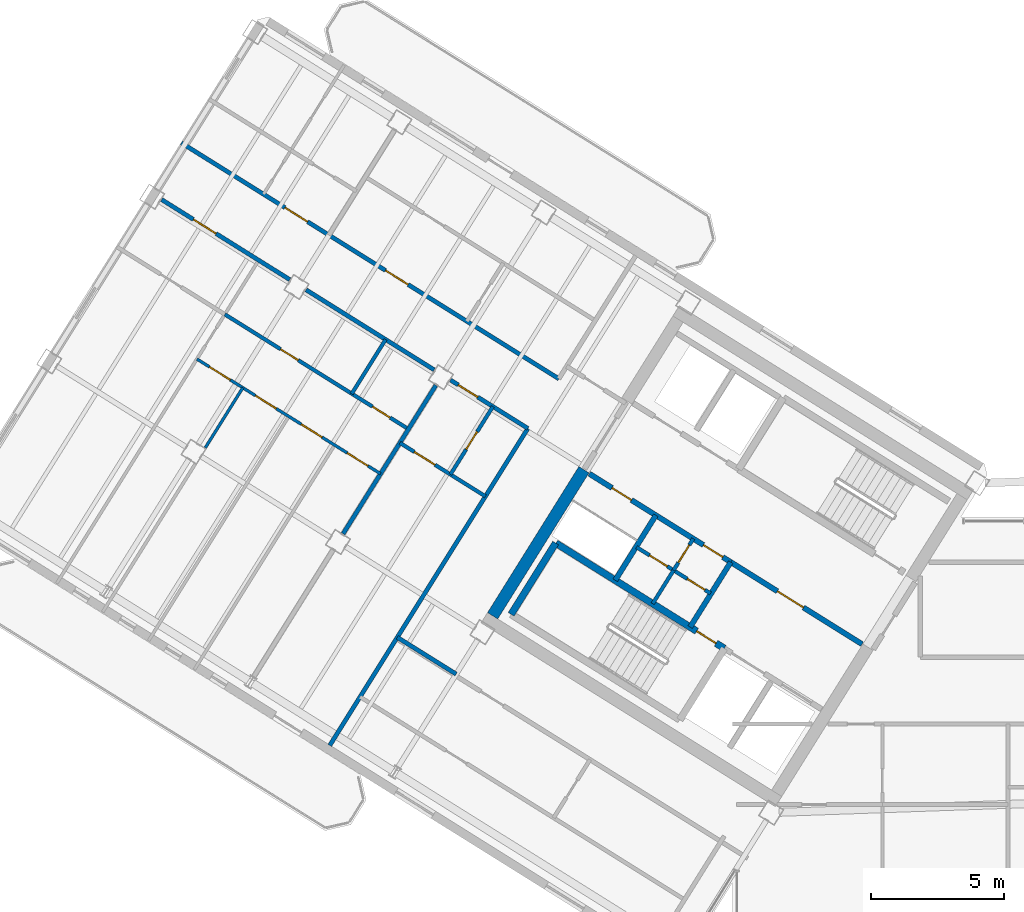
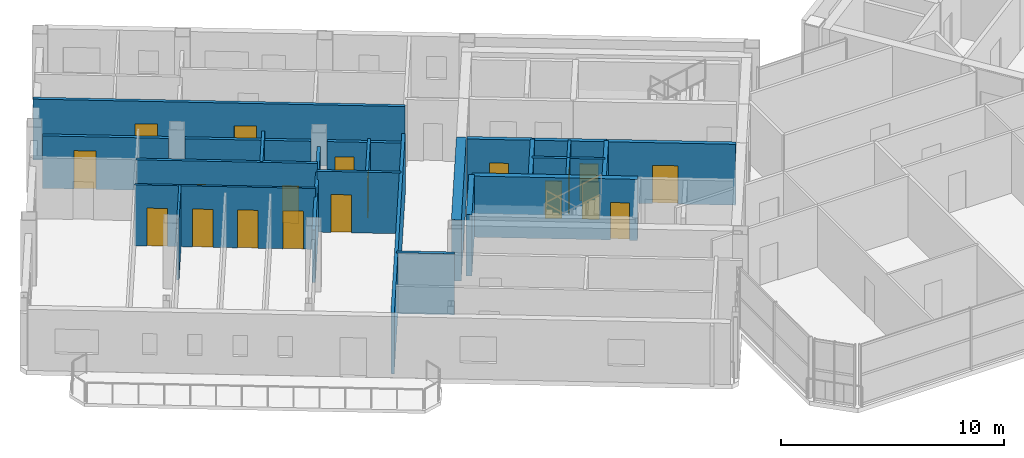
# One storey, part 17 of 25: 23 walls, 19 doors, 19 openings.
"""IFC4 building model written with IfcOpenShell, lengths in metres."""

from ifc_helpers import new_model, si_unit, direction, frame, frame_2d, origin, place, context, subcontext, project, spatial, rectangle, extrude, source, transform, mapped, material, layer, layer_set, type_object, element, fill, save


model = new_model("IFC4")

# Units and contexts
model_context = context("Model", 3, precision=1e-05, world=origin(), true_north=direction((0.0, 1.0)))
body_context = subcontext(model_context, "Body", "Model", "MODEL_VIEW")
ifc_project = project(units=[si_unit("LENGTHUNIT", "METRE"), si_unit("AREAUNIT", "SQUARE_METRE"), si_unit("VOLUMEUNIT", "CUBIC_METRE"), si_unit("PLANEANGLEUNIT", "RADIAN"), si_unit("MASSUNIT", "GRAM", prefix="KILO")], contexts=[model_context])

# Site, building, storey
site_placement = place(None, origin())
site = spatial("IfcSite", under=ifc_project, at=site_placement, CompositionType="ELEMENT")
building_placement = place(site_placement, origin())
building = spatial("IfcBuilding", under=site, at=building_placement, Name="Tlacorven Tower", CompositionType="ELEMENT")
storey_placement = place(building_placement, frame((0.0, 0.0, 259.199951171875)))
storey = spatial("IfcBuildingStorey", under=building, at=storey_placement, Name="L65", CompositionType="ELEMENT", Elevation=259.199951171875)

# Walls
ifc_material_1 = material(Name="Concrete C50/60", Category="concrete")
ifc_layer_1 = layer(ifc_material_1, 0.449951171875)
ifc_layer_set_1 = layer_set([ifc_layer_1], Name="Concrete C50/60")
wall_type_1 = type_object("IfcWallType", Name="WL-COR-450", PredefinedType="SHEAR", material=ifc_layer_set_1)
wall_1_placement = place(storey_placement, frame((26.006591796875, 24.975830078125, 0.0), z_axis=(0.0, 0.0, 1.0), x_axis=(-0.529931155655, -0.848040665456, 0.0)))
element("IfcWall", 1, at=wall_1_placement, inside=storey, type_object=wall_type_1, Name="L65 W core end wall E2.2", PredefinedType="SHEAR", context=body_context, shape_type="SweptSolid", body=[
    extrude(rectangle(XDim=6.47509765625, YDim=0.449951171875, at=frame_2d((3.237548828125, 0.0))), origin(), (0.0, 0.0, 1.0), 3.35009765625),
])
ifc_material_2 = material(Name="Gypsum plasterboard acoustic partition", Category="gypsum")
ifc_layer_2 = layer(ifc_material_2, 0.159912109375)
ifc_layer_set_2 = layer_set([ifc_layer_2], Name="Gypsum plasterboard acoustic partition")
wall_type_2 = type_object("IfcWallType", Name="WL-DEM-160", PredefinedType="PARTITIONING", material=ifc_layer_set_2)
wall_2_placement = place(storey_placement, frame((21.20556640625, 17.29248046875, 0.0), z_axis=(0.0, 0.0, 1.0), x_axis=(-0.848050851465, 0.529914854792, 0.0)))
element("IfcWall", 2, at=wall_2_placement, inside=storey, type_object=wall_type_2, Name="L65 partition 39", PredefinedType="PARTITIONING", context=body_context, shape_type="SweptSolid", body=[
    extrude(rectangle(XDim=2.60986328125, YDim=0.159912109375, at=frame_2d((1.304931640625, 0.0))), origin(), (0.0, 0.0, 1.0), 3.340087890625),
])
wall_3_placement = place(storey_placement, frame((23.899169921875, 26.528564453125, 0.0), z_axis=(0.0, 0.0, 1.0), x_axis=(-0.529917716469, -0.848049063305, 0.0)))
element("IfcWall", 3, at=wall_3_placement, inside=storey, type_object=wall_type_2, Name="L65 partition 41", PredefinedType="PARTITIONING", context=body_context, shape_type="SweptSolid", body=[
    extrude(rectangle(XDim=14.050048828125, YDim=0.159912109375, at=frame_2d((7.02490234375, 0.0))), origin(), (0.0, 0.0, 1.0), 3.340087890625),
])

# Wall, openings, doors
wall_4_placement = place(storey_placement, frame((25.06494140625, 28.394287109375, 0.0), z_axis=(0.0, 0.0, 1.0), x_axis=(-0.848048310262, 0.529918921593, 0.0)))
wall_4 = element("IfcWall", 4, at=wall_4_placement, inside=storey, type_object=wall_type_2, Name="L65 Wing W Corridor South Wall", PredefinedType="PARTITIONING", context=body_context, shape_type="SweptSolid", body=[
    extrude(rectangle(XDim=16.72998046875, YDim=0.159912109375, at=frame_2d((8.364990234375, 0.0))), origin(), (0.0, 0.0, 1.0), 3.340087890625),
])
opening_1_placement = place(wall_4_placement, frame((6.68310546875, 0.0, 0.0)))
opening_1 = element("IfcOpeningElement", 5, at=opening_1_placement, cuts=wall_4, Name="Opening D11", PredefinedType="OPENING", context=body_context, shape_type="SweptSolid", body=[
    extrude(rectangle(XDim=1.0, YDim=2.10009765625, at=frame_2d((0.5, 1.050048828125))), frame((0.0, 0.08984375, 0.0), z_axis=(0.0, -1.0, 0.0), x_axis=(1.0, 0.0, 0.0)), (0.0, 0.0, 1.0), 0.179931640625),
])
opening_2_placement = place(wall_4_placement, frame((11.139892578125, 0.0, 0.0)))
opening_2 = element("IfcOpeningElement", 6, at=opening_2_placement, cuts=wall_4, Name="Opening D11", PredefinedType="OPENING", context=body_context, shape_type="SweptSolid", body=[
    extrude(rectangle(XDim=1.0, YDim=2.10009765625, at=frame_2d((0.5, 1.050048828125))), frame((0.0, 0.08984375, 0.0), z_axis=(0.0, -1.0, 0.0), x_axis=(1.0, 0.0, 0.0)), (0.0, 0.0, 1.0), 0.179931640625),
])
ifc_material_3 = material(Name="Fire-rated steel door assembly", Category="steel")
door_type_1 = type_object("IfcDoorType", Name="DR-FLT-FD60-1000", OperationType="NOTDEFINED", PredefinedType="DOOR", material=ifc_material_3)
shared_shape_1 = source(origin(), body_context, "Body", "SweptSolid", [
    extrude(rectangle(XDim=1.0, YDim=2.10009765625, at=frame_2d((0.5, 1.050048828125))), frame((0.0, 0.02490234375, 0.0), z_axis=(0.0, -1.0, 0.0), x_axis=(1.0, 0.0, 0.0)), (0.0, 0.0, 1.0), 0.050048828125),
])
door_1_placement = place(opening_1_placement, origin())
door_1 = element("IfcDoor", 7, at=door_1_placement, inside=storey, type_object=door_type_1, Name="L65 door 036", OperationType="SINGLE_SWING_RIGHT", OverallHeight=2.10009765625, OverallWidth=1.0, PredefinedType="DOOR", context=body_context, shape_type="MappedRepresentation", body=[
    mapped(shared_shape_1, transform((0.0, 0.0, 0.0), scale=1.0)),
])
fill(opening_1, door_1)
door_2_placement = place(opening_2_placement, origin())
door_2 = element("IfcDoor", 8, at=door_2_placement, inside=storey, type_object=door_type_1, Name="L65 door 040", OperationType="SINGLE_SWING_RIGHT", OverallHeight=2.10009765625, OverallWidth=1.0, PredefinedType="DOOR", context=body_context, shape_type="MappedRepresentation", body=[
    mapped(shared_shape_1, transform((0.0, 0.0, 0.0), scale=1.0)),
])
fill(opening_2, door_2)

# Wall, opening, door
wall_5_placement = place(storey_placement, frame((23.899169921875, 26.528564453125, 0.0), z_axis=(0.0, 0.0, 1.0), x_axis=(-0.84807831592, 0.529870899433, 0.0)))
wall_5 = element("IfcWall", 9, at=wall_5_placement, inside=storey, type_object=wall_type_2, Name="L65 Wing W Corridor North Wall", PredefinedType="PARTITIONING", context=body_context, shape_type="SweptSolid", body=[
    extrude(rectangle(XDim=3.427978515625, YDim=0.159912109375, at=frame_2d((1.7138671875, 0.0))), origin(), (0.0, 0.0, 1.0), 2.875),
])
opening_3_placement = place(wall_5_placement, frame((2.219970703125, 0.0, 0.0)))
opening_3 = element("IfcOpeningElement", 10, at=opening_3_placement, cuts=wall_5, Name="Opening D19", PredefinedType="OPENING", context=body_context, shape_type="SweptSolid", body=[
    extrude(rectangle(XDim=0.860107421875, YDim=2.050048828125, at=frame_2d((0.43017578125, 1.02490234375))), frame((0.0, 0.08984375, 0.0), z_axis=(0.0, -1.0, 0.0), x_axis=(1.0, 0.0, 0.0)), (0.0, 0.0, 1.0), 0.179931640625),
])
door_type_2 = type_object("IfcDoorType", Name="DR-RSR-FD60-0860", OperationType="NOTDEFINED", PredefinedType="DOOR", material=ifc_material_3)
shared_shape_2 = source(origin(), body_context, "Body", "SweptSolid", [
    extrude(rectangle(XDim=0.860107421875, YDim=2.050048828125, at=frame_2d((0.43017578125, 1.02490234375))), frame((0.0, 0.02490234375, 0.0), z_axis=(0.0, -1.0, 0.0), x_axis=(1.0, 0.0, 0.0)), (0.0, 0.0, 1.0), 0.050048828125),
])
door_3_placement = place(opening_3_placement, origin())
door_3 = element("IfcDoor", 11, at=door_3_placement, inside=storey, type_object=door_type_2, Name="L65 door 023", OperationType="SINGLE_SWING_LEFT", OverallHeight=2.050048828125, OverallWidth=0.860107421875, PredefinedType="DOOR", context=body_context, shape_type="MappedRepresentation", body=[
    mapped(shared_shape_2, transform((0.0, 0.0, 0.0), scale=1.0)),
])
fill(opening_3, door_3)

# Wall
wall_6_placement = place(storey_placement, frame((20.3779296875, 28.728759765625, 0.0), z_axis=(0.0, 0.0, 1.0), x_axis=(-0.848046629825, 0.529921610846, 0.0)))
element("IfcWall", 12, at=wall_6_placement, inside=storey, type_object=wall_type_2, Name="L65 Wing W Corridor North Wall", PredefinedType="PARTITIONING", context=body_context, shape_type="SweptSolid", body=[
    extrude(rectangle(XDim=5.676025390625, YDim=0.159912109375, at=frame_2d((2.837890625, 0.0))), origin(), (0.0, 0.0, 1.0), 2.875),
])

# Wall, opening, door
wall_7_placement = place(storey_placement, frame((14.950439453125, 32.1201171875, 0.0), z_axis=(0.0, 0.0, 1.0), x_axis=(-0.848046629825, 0.529921610846, 0.0)))
wall_7 = element("IfcWall", 13, at=wall_7_placement, inside=storey, type_object=wall_type_2, Name="L65 Wing W Corridor North Wall", PredefinedType="PARTITIONING", context=body_context, shape_type="SweptSolid", body=[
    extrude(rectangle(XDim=5.676025390625, YDim=0.159912109375, at=frame_2d((2.837890625, 0.0))), origin(), (0.0, 0.0, 1.0), 2.875),
])
opening_4_placement = place(wall_7_placement, frame((3.26806640625, 0.0, 0.0)))
opening_4 = element("IfcOpeningElement", 14, at=opening_4_placement, cuts=wall_7, Name="Opening D11", PredefinedType="OPENING", context=body_context, shape_type="SweptSolid", body=[
    extrude(rectangle(XDim=1.0, YDim=2.10009765625, at=frame_2d((0.5, 1.050048828125))), frame((0.0, 0.08984375, 0.0), z_axis=(0.0, -1.0, 0.0), x_axis=(1.0, 0.0, 0.0)), (0.0, 0.0, 1.0), 0.179931640625),
])
door_4_placement = place(opening_4_placement, origin())
door_4 = element("IfcDoor", 15, at=door_4_placement, inside=storey, type_object=door_type_1, Name="L65 door 027", OperationType="SINGLE_SWING_LEFT", OverallHeight=2.10009765625, OverallWidth=1.0, PredefinedType="DOOR", context=body_context, shape_type="MappedRepresentation", body=[
    mapped(shared_shape_1, transform((0.0, 0.0, 0.0), scale=1.0)),
])
fill(opening_4, door_4)

# Wall
wall_8_placement = place(storey_placement, frame((20.440185546875, 28.14501953125, 0.0), z_axis=(0.0, 0.0, 1.0), x_axis=(-0.529938869374, -0.84803584519, 0.0)))
element("IfcWall", 16, at=wall_8_placement, inside=storey, type_object=wall_type_2, Name="L65 WN Demising Wall 1", PredefinedType="PARTITIONING", context=body_context, shape_type="SweptSolid", body=[
    extrude(rectangle(XDim=6.575927734375, YDim=0.159912109375, at=frame_2d((3.2880859375, 0.0))), origin(), (0.0, 0.0, 1.0), 2.875),
])

# Wall, openings, doors
ifc_material_4 = material(Name="Gypsum plasterboard partition", Category="gypsum")
ifc_layer_3 = layer(ifc_material_4, 0.110107421875)
ifc_layer_set_3 = layer_set([ifc_layer_3], Name="Gypsum plasterboard partition")
wall_type_3 = type_object("IfcWallType", Name="WL-INT-110", PredefinedType="PARTITIONING", material=ifc_layer_set_3)
wall_9_placement = place(storey_placement, frame((18.364013671875, 24.822509765625, 0.0), z_axis=(0.0, 0.0, 1.0), x_axis=(-0.848050534792, 0.529915361581, 0.0)))
wall_9 = element("IfcWall", 17, at=wall_9_placement, inside=storey, type_object=wall_type_3, Name="L65 partition 53", PredefinedType="PARTITIONING", context=body_context, shape_type="SweptSolid", body=[
    extrude(rectangle(XDim=8.139892578125, YDim=0.110107421875, at=frame_2d((4.06982421875, 0.0))), origin(), (0.0, 0.0, 1.0), 3.340087890625),
])
opening_5_placement = place(wall_9_placement, frame((0.5576171875, 0.0, 0.0)))
opening_5 = element("IfcOpeningElement", 18, at=opening_5_placement, cuts=wall_9, Name="Opening D12", PredefinedType="OPENING", context=body_context, shape_type="SweptSolid", body=[
    extrude(rectangle(XDim=0.919921875, YDim=2.080078125, at=frame_2d((0.4599609375, 1.0400390625))), frame((0.0, 0.06494140625, 0.0), z_axis=(0.0, -1.0, 0.0), x_axis=(1.0, 0.0, 0.0)), (0.0, 0.0, 1.0), 0.130126953125),
])
opening_6_placement = place(wall_9_placement, frame((2.592529296875, 0.0, 0.0)))
opening_6 = element("IfcOpeningElement", 19, at=opening_6_placement, cuts=wall_9, Name="Opening D12", PredefinedType="OPENING", context=body_context, shape_type="SweptSolid", body=[
    extrude(rectangle(XDim=0.919921875, YDim=2.080078125, at=frame_2d((0.4599609375, 1.0400390625))), frame((0.0, 0.06494140625, 0.0), z_axis=(0.0, -1.0, 0.0), x_axis=(1.0, 0.0, 0.0)), (0.0, 0.0, 1.0), 0.130126953125),
])
opening_7_placement = place(wall_9_placement, frame((4.62744140625, 0.0, 0.0)))
opening_7 = element("IfcOpeningElement", 20, at=opening_7_placement, cuts=wall_9, Name="Opening D12", PredefinedType="OPENING", context=body_context, shape_type="SweptSolid", body=[
    extrude(rectangle(XDim=0.919921875, YDim=2.080078125, at=frame_2d((0.4599609375, 1.0400390625))), frame((0.0, 0.06494140625, 0.0), z_axis=(0.0, -1.0, 0.0), x_axis=(1.0, 0.0, 0.0)), (0.0, 0.0, 1.0), 0.130126953125),
])
opening_8_placement = place(wall_9_placement, frame((6.66259765625, 0.0, 0.0)))
opening_8 = element("IfcOpeningElement", 21, at=opening_8_placement, cuts=wall_9, Name="Opening D12", PredefinedType="OPENING", context=body_context, shape_type="SweptSolid", body=[
    extrude(rectangle(XDim=0.919921875, YDim=2.080078125, at=frame_2d((0.4599609375, 1.0400390625))), frame((0.0, 0.06494140625, 0.0), z_axis=(0.0, -1.0, 0.0), x_axis=(1.0, 0.0, 0.0)), (0.0, 0.0, 1.0), 0.130126953125),
])
ifc_material_5 = material(Name="Powder-coated aluminium and timber door", Category="wood")
door_type_3 = type_object("IfcDoorType", Name="DR-INT-ROOM-0920", OperationType="NOTDEFINED", PredefinedType="DOOR", material=ifc_material_5)
shared_shape_3 = source(origin(), body_context, "Body", "SweptSolid", [
    extrude(rectangle(XDim=0.919921875, YDim=2.080078125, at=frame_2d((0.4599609375, 1.0400390625))), frame((0.0, 0.02490234375, 0.0), z_axis=(0.0, -1.0, 0.0), x_axis=(1.0, 0.0, 0.0)), (0.0, 0.0, 1.0), 0.050048828125),
])
door_5_placement = place(opening_5_placement, origin())
door_5 = element("IfcDoor", 22, at=door_5_placement, inside=storey, type_object=door_type_3, Name="L65 door 032", OperationType="SINGLE_SWING_RIGHT", OverallHeight=2.080078125, OverallWidth=0.919921875, PredefinedType="DOOR", context=body_context, shape_type="MappedRepresentation", body=[
    mapped(shared_shape_3, transform((0.0, 0.0, 0.0), scale=1.0)),
])
fill(opening_5, door_5)
door_6_placement = place(opening_6_placement, origin())
door_6 = element("IfcDoor", 23, at=door_6_placement, inside=storey, type_object=door_type_3, Name="L65 door 033", OperationType="SINGLE_SWING_LEFT", OverallHeight=2.080078125, OverallWidth=0.919921875, PredefinedType="DOOR", context=body_context, shape_type="MappedRepresentation", body=[
    mapped(shared_shape_3, transform((0.0, 0.0, 0.0), scale=1.0)),
])
fill(opening_6, door_6)
door_7_placement = place(opening_7_placement, origin())
door_7 = element("IfcDoor", 24, at=door_7_placement, inside=storey, type_object=door_type_3, Name="L65 door 034", OperationType="SINGLE_SWING_RIGHT", OverallHeight=2.080078125, OverallWidth=0.919921875, PredefinedType="DOOR", context=body_context, shape_type="MappedRepresentation", body=[
    mapped(shared_shape_3, transform((0.0, 0.0, 0.0), scale=1.0)),
])
fill(opening_7, door_7)
door_8_placement = place(opening_8_placement, origin())
door_8 = element("IfcDoor", 25, at=door_8_placement, inside=storey, type_object=door_type_3, Name="L65 door 035", OperationType="SINGLE_SWING_LEFT", OverallHeight=2.080078125, OverallWidth=0.919921875, PredefinedType="DOOR", context=body_context, shape_type="MappedRepresentation", body=[
    mapped(shared_shape_3, transform((0.0, 0.0, 0.0), scale=1.0)),
])
fill(opening_8, door_8)

# Wall
wall_10_placement = place(storey_placement, frame((13.1865234375, 28.0576171875, 0.0), z_axis=(0.0, 0.0, 1.0), x_axis=(-0.529891603607, -0.848065379807, 0.0)))
element("IfcWall", 26, at=wall_10_placement, inside=storey, type_object=wall_type_3, Name="L65 partition 56", PredefinedType="PARTITIONING", context=body_context, shape_type="SweptSolid", body=[
    extrude(rectangle(XDim=2.657958984375, YDim=0.110107421875, at=frame_2d((1.3291015625, 0.0))), origin(), (0.0, 0.0, 1.0), 3.340087890625),
])

# Wall, opening, door
ifc_material_6 = material(Name="Moisture-resistant gypsum plumbing wall", Category="gypsum")
ifc_layer_4 = layer(ifc_material_6, 0.139892578125)
ifc_layer_set_4 = layer_set([ifc_layer_4], Name="Moisture-resistant gypsum plumbing wall")
wall_type_4 = type_object("IfcWallType", Name="WL-PLM-140", PredefinedType="PLUMBINGWALL", material=ifc_layer_set_4)
wall_11_placement = place(storey_placement, frame((30.117431640625, 22.383544921875, 0.0), z_axis=(0.0, 0.0, 1.0), x_axis=(-0.529951914384, -0.848027693204, 0.0)))
wall_11 = element("IfcWall", 27, at=wall_11_placement, inside=storey, type_object=wall_type_4, Name="L65 partition 18", PredefinedType="PLUMBINGWALL", context=body_context, shape_type="SweptSolid", body=[
    extrude(rectangle(XDim=1.39990234375, YDim=0.139892578125, at=frame_2d((0.699951171875, 0.0))), origin(), (0.0, 0.0, 1.0), 3.340087890625),
])
opening_9_placement = place(wall_11_placement, frame((0.280029296875, 0.0, 0.0)))
opening_9 = element("IfcOpeningElement", 28, at=opening_9_placement, cuts=wall_11, Name="Opening D22", PredefinedType="OPENING", context=body_context, shape_type="SweptSolid", body=[
    extrude(rectangle(XDim=0.780029296875, YDim=2.050048828125, at=frame_2d((0.39013671875, 1.02490234375))), frame((0.0, 0.080078125, 0.0), z_axis=(0.0, -1.0, 0.0), x_axis=(1.0, 0.0, 0.0)), (0.0, 0.0, 1.0), 0.159912109375),
])
door_type_4 = type_object("IfcDoorType", Name="DR-INT-WET-0780", OperationType="NOTDEFINED", PredefinedType="DOOR", material=ifc_material_5)
shared_shape_4 = source(origin(), body_context, "Body", "SweptSolid", [
    extrude(rectangle(XDim=0.780029296875, YDim=2.050048828125, at=frame_2d((0.39013671875, 1.02490234375))), frame((0.0, 0.02490234375, 0.0), z_axis=(0.0, -1.0, 0.0), x_axis=(1.0, 0.0, 0.0)), (0.0, 0.0, 1.0), 0.050048828125),
])
door_9_placement = place(opening_9_placement, origin())
door_9 = element("IfcDoor", 29, at=door_9_placement, inside=storey, type_object=door_type_4, Name="L65 door 010", OperationType="SINGLE_SWING_RIGHT", OverallHeight=2.050048828125, OverallWidth=0.780029296875, PredefinedType="DOOR", context=body_context, shape_type="MappedRepresentation", body=[
    mapped(shared_shape_4, transform((0.0, 0.0, 0.0), scale=1.0)),
])
fill(opening_9, door_9)

# Wall
wall_12_placement = place(storey_placement, frame((29.37548828125, 21.1962890625, 0.0), z_axis=(0.0, 0.0, 1.0), x_axis=(-0.529865479138, -0.848081702443, 0.0)))
element("IfcWall", 30, at=wall_12_placement, inside=storey, type_object=wall_type_4, Name="L65 partition 19", PredefinedType="PLUMBINGWALL", context=body_context, shape_type="SweptSolid", body=[
    extrude(rectangle(XDim=1.47998046875, YDim=0.139892578125, at=frame_2d((0.739990234375, 0.0))), origin(), (0.0, 0.0, 1.0), 3.340087890625),
])

# Wall, openings, doors
wall_13_placement = place(storey_placement, frame((30.766357421875, 20.3271484375, 0.0), z_axis=(0.0, 0.0, 1.0), x_axis=(-0.848052663127, 0.529911955482, 0.0)))
wall_13 = element("IfcWall", 31, at=wall_13_placement, inside=storey, type_object=wall_type_4, Name="L65 partition 20", PredefinedType="PLUMBINGWALL", context=body_context, shape_type="SweptSolid", body=[
    extrude(rectangle(XDim=3.27978515625, YDim=0.139892578125, at=frame_2d((1.639892578125, 0.0))), origin(), (0.0, 0.0, 1.0), 3.340087890625),
])
opening_10_placement = place(wall_13_placement, frame((0.25, 0.0, 0.0)))
opening_10 = element("IfcOpeningElement", 32, at=opening_10_placement, cuts=wall_13, Name="Opening D22", PredefinedType="OPENING", context=body_context, shape_type="SweptSolid", body=[
    extrude(rectangle(XDim=0.780029296875, YDim=2.050048828125, at=frame_2d((0.39013671875, 1.02490234375))), frame((0.0, 0.080078125, 0.0), z_axis=(0.0, -1.0, 0.0), x_axis=(1.0, 0.0, 0.0)), (0.0, 0.0, 1.0), 0.159912109375),
])
opening_11_placement = place(wall_13_placement, frame((1.919921875, 0.0, 0.0)))
opening_11 = element("IfcOpeningElement", 33, at=opening_11_placement, cuts=wall_13, Name="Opening D22", PredefinedType="OPENING", context=body_context, shape_type="SweptSolid", body=[
    extrude(rectangle(XDim=0.780029296875, YDim=2.050048828125, at=frame_2d((0.39013671875, 1.02490234375))), frame((0.0, 0.080078125, 0.0), z_axis=(0.0, -1.0, 0.0), x_axis=(1.0, 0.0, 0.0)), (0.0, 0.0, 1.0), 0.159912109375),
])
door_10_placement = place(opening_10_placement, origin())
door_10 = element("IfcDoor", 34, at=door_10_placement, inside=storey, type_object=door_type_4, Name="L65 door 011", OperationType="SINGLE_SWING_LEFT", OverallHeight=2.050048828125, OverallWidth=0.780029296875, PredefinedType="DOOR", context=body_context, shape_type="MappedRepresentation", body=[
    mapped(shared_shape_4, transform((0.0, 0.0, 0.0), scale=1.0)),
])
fill(opening_10, door_10)
door_11_placement = place(opening_11_placement, origin())
door_11 = element("IfcDoor", 35, at=door_11_placement, inside=storey, type_object=door_type_4, Name="L65 door 012", OperationType="SINGLE_SWING_RIGHT", OverallHeight=2.050048828125, OverallWidth=0.780029296875, PredefinedType="DOOR", context=body_context, shape_type="MappedRepresentation", body=[
    mapped(shared_shape_4, transform((0.0, 0.0, 0.0), scale=1.0)),
])
fill(opening_11, door_11)

# Wall, opening, door
wall_14_placement = place(storey_placement, frame((22.303955078125, 23.975830078125, 0.0), z_axis=(0.0, 0.0, 1.0), x_axis=(-0.84803087207, 0.529946827537, 0.0)))
wall_14 = element("IfcWall", 36, at=wall_14_placement, inside=storey, type_object=wall_type_4, Name="L65 partition 46", PredefinedType="PLUMBINGWALL", context=body_context, shape_type="SweptSolid", body=[
    extrude(rectangle(XDim=3.7900390625, YDim=0.139892578125, at=frame_2d((1.89501953125, 0.0))), origin(), (0.0, 0.0, 1.0), 3.340087890625),
])
opening_12_placement = place(wall_14_placement, frame((2.22998046875, 0.0, 0.0)))
opening_12 = element("IfcOpeningElement", 37, at=opening_12_placement, cuts=wall_14, Name="Opening D12", PredefinedType="OPENING", context=body_context, shape_type="SweptSolid", body=[
    extrude(rectangle(XDim=0.919921875, YDim=2.080078125, at=frame_2d((0.4599609375, 1.0400390625))), frame((0.0, 0.080078125, 0.0), z_axis=(0.0, -1.0, 0.0), x_axis=(1.0, 0.0, 0.0)), (0.0, 0.0, 1.0), 0.159912109375),
])
door_12_placement = place(opening_12_placement, origin())
door_12 = element("IfcDoor", 38, at=door_12_placement, inside=storey, type_object=door_type_3, Name="L65 door 024", OperationType="SINGLE_SWING_RIGHT", OverallHeight=2.080078125, OverallWidth=0.919921875, PredefinedType="DOOR", context=body_context, shape_type="MappedRepresentation", body=[
    mapped(shared_shape_3, transform((0.0, 0.0, 0.0), scale=1.0)),
])
fill(opening_12, door_12)

wall_15_placement = place(storey_placement, frame((22.584716796875, 27.349853515625, 0.0), z_axis=(0.0, 0.0, 1.0), x_axis=(-0.529977067289, -0.848011974059, 0.0)))
wall_15 = element("IfcWall", 39, at=wall_15_placement, inside=storey, type_object=wall_type_4, Name="L65 partition 47", PredefinedType="PLUMBINGWALL", context=body_context, shape_type="SweptSolid", body=[
    extrude(rectangle(XDim=3.010009765625, YDim=0.139892578125, at=frame_2d((1.5048828125, 0.0))), origin(), (0.0, 0.0, 1.0), 3.025146484375),
])
opening_13_placement = place(wall_15_placement, frame((1.114990234375, 0.0, 0.0)))
opening_13 = element("IfcOpeningElement", 40, at=opening_13_placement, cuts=wall_15, Name="Opening D22", PredefinedType="OPENING", context=body_context, shape_type="SweptSolid", body=[
    extrude(rectangle(XDim=0.780029296875, YDim=2.050048828125, at=frame_2d((0.39013671875, 1.02490234375))), frame((0.0, 0.080078125, 0.0), z_axis=(0.0, -1.0, 0.0), x_axis=(1.0, 0.0, 0.0)), (0.0, 0.0, 1.0), 0.159912109375),
])
door_13_placement = place(opening_13_placement, origin())
door_13 = element("IfcDoor", 41, at=door_13_placement, inside=storey, type_object=door_type_4, Name="L65 door 025", OperationType="SINGLE_SWING_LEFT", OverallHeight=2.050048828125, OverallWidth=0.780029296875, PredefinedType="DOOR", context=body_context, shape_type="MappedRepresentation", body=[
    mapped(shared_shape_4, transform((0.0, 0.0, 0.0), scale=1.0)),
])
fill(opening_13, door_13)

# Wall, openings, doors
wall_16_placement = place(storey_placement, frame((19.413330078125, 26.50146484375, 0.0), z_axis=(0.0, 0.0, 1.0), x_axis=(-0.84804547861, 0.52992345316, 0.0)))
wall_16 = element("IfcWall", 42, at=wall_16_placement, inside=storey, type_object=wall_type_4, Name="L65 partition 51", PredefinedType="PLUMBINGWALL", context=body_context, shape_type="SweptSolid", body=[
    extrude(rectangle(XDim=8.140380859375, YDim=0.139892578125, at=frame_2d((4.0703125, 0.0))), origin(), (0.0, 0.0, 1.0), 3.340087890625),
])
opening_14_placement = place(wall_16_placement, frame((4.887451171875, 0.0, 0.0)))
opening_14 = element("IfcOpeningElement", 43, at=opening_14_placement, cuts=wall_16, Name="Opening D22", PredefinedType="OPENING", context=body_context, shape_type="SweptSolid", body=[
    extrude(rectangle(XDim=0.780029296875, YDim=2.050048828125, at=frame_2d((0.39013671875, 1.02490234375))), frame((0.0, 0.080078125, 0.0), z_axis=(0.0, -1.0, 0.0), x_axis=(1.0, 0.0, 0.0)), (0.0, 0.0, 1.0), 0.159912109375),
])
opening_15_placement = place(wall_16_placement, frame((0.8173828125, 0.0, 0.0)))
opening_15 = element("IfcOpeningElement", 44, at=opening_15_placement, cuts=wall_16, Name="Opening D22", PredefinedType="OPENING", context=body_context, shape_type="SweptSolid", body=[
    extrude(rectangle(XDim=0.780029296875, YDim=2.050048828125, at=frame_2d((0.39013671875, 1.02490234375))), frame((0.0, 0.080078125, 0.0), z_axis=(0.0, -1.0, 0.0), x_axis=(1.0, 0.0, 0.0)), (0.0, 0.0, 1.0), 0.159912109375),
])
door_14_placement = place(opening_14_placement, origin())
door_14 = element("IfcDoor", 45, at=door_14_placement, inside=storey, type_object=door_type_4, Name="L65 door 030", OperationType="SINGLE_SWING_RIGHT", OverallHeight=2.050048828125, OverallWidth=0.780029296875, PredefinedType="DOOR", context=body_context, shape_type="MappedRepresentation", body=[
    mapped(shared_shape_4, transform((0.0, 0.0, 0.0), scale=1.0)),
])
fill(opening_14, door_14)
door_15_placement = place(opening_15_placement, origin())
door_15 = element("IfcDoor", 46, at=door_15_placement, inside=storey, type_object=door_type_4, Name="L65 door 031", OperationType="SINGLE_SWING_LEFT", OverallHeight=2.050048828125, OverallWidth=0.780029296875, PredefinedType="DOOR", context=body_context, shape_type="MappedRepresentation", body=[
    mapped(shared_shape_4, transform((0.0, 0.0, 0.0), scale=1.0)),
])
fill(opening_15, door_15)

# Wall
wall_17_placement = place(storey_placement, frame((18.55224609375, 29.86962890625, 0.0), z_axis=(0.0, 0.0, 1.0), x_axis=(-0.529935194983, -0.848038141311, 0.0)))
element("IfcWall", 47, at=wall_17_placement, inside=storey, type_object=wall_type_4, Name="L65 partition 52", PredefinedType="PLUMBINGWALL", context=body_context, shape_type="SweptSolid", body=[
    extrude(rectangle(XDim=2.409912109375, YDim=0.139892578125, at=frame_2d((1.205078125, 0.0))), origin(), (0.0, 0.0, 1.0), 3.340087890625),
])

# Wall, opening, door
ifc_material_7 = material(Name="Concrete C40/50", Category="concrete")
ifc_layer_5 = layer(ifc_material_7, 0.199951171875)
ifc_layer_set_5 = layer_set([ifc_layer_5], Name="Concrete C40/50")
wall_type_5 = type_object("IfcWallType", Name="WL-SHF-200", PredefinedType="STANDARD", material=ifc_layer_set_5)
wall_18_placement = place(storey_placement, frame((36.459228515625, 18.420654296875, 0.0), z_axis=(0.0, 0.0, 1.0), x_axis=(-0.848059591691, 0.529900867089, 0.0)))
wall_18 = element("IfcWall", 48, at=wall_18_placement, inside=storey, type_object=wall_type_5, Name="L65 Core W Smoke Lobby Wall", PredefinedType="STANDARD", context=body_context, shape_type="SweptSolid", body=[
    extrude(rectangle(XDim=5.818115234375, YDim=0.199951171875, at=frame_2d((2.9091796875, 0.0))), origin(), (0.0, 0.0, 1.0), 3.340087890625),
])
opening_16_placement = place(wall_18_placement, frame((2.597900390625, 0.0, 0.0)))
opening_16 = element("IfcOpeningElement", 49, at=opening_16_placement, cuts=wall_18, Name="Opening D09", PredefinedType="OPENING", context=body_context, shape_type="SweptSolid", body=[
    extrude(rectangle(XDim=1.14990234375, YDim=2.10009765625, at=frame_2d((0.574951171875, 1.050048828125))), frame((0.0, 0.10986328125, 0.0), z_axis=(0.0, -1.0, 0.0), x_axis=(1.0, 0.0, 0.0)), (0.0, 0.0, 1.0), 0.219970703125),
])
door_type_5 = type_object("IfcDoorType", Name="DR-FFL-FD60-1150", OperationType="NOTDEFINED", PredefinedType="DOOR", material=ifc_material_3)
shared_shape_5 = source(origin(), body_context, "Body", "SweptSolid", [
    extrude(rectangle(XDim=1.14990234375, YDim=2.10009765625, at=frame_2d((0.574951171875, 1.050048828125))), frame((0.0, 0.02490234375, 0.0), z_axis=(0.0, -1.0, 0.0), x_axis=(1.0, 0.0, 0.0)), (0.0, 0.0, 1.0), 0.050048828125),
])
door_16_placement = place(opening_16_placement, origin())
door_16 = element("IfcDoor", 50, at=door_16_placement, inside=storey, type_object=door_type_5, Name="L65 Firefighting Lobby W Fire Door", OperationType="SINGLE_SWING_LEFT", OverallHeight=2.10009765625, OverallWidth=1.14990234375, PredefinedType="DOOR", context=body_context, shape_type="MappedRepresentation", body=[
    mapped(shared_shape_5, transform((0.0, 0.0, 0.0), scale=1.0)),
])
fill(opening_16, door_16)

# Walls
for number, where, z_axis, x_axis, name in (
    (51, (31.525146484375, 21.503662109375, 0.0), (0.0, 0.0, 1.0), (-0.529907497854, -0.848055448493, 0.0), "L65 partition 15"),
    (52, (28.709716796875, 23.26318359375, 0.0), (0.0, 0.0, 1.0), (-0.529907497854, -0.848055448493, 0.0), "L65 partition 16"),
):
    element("IfcWall", number, at=place(storey_placement, frame(where, z_axis=z_axis, x_axis=x_axis)), inside=storey, type_object=wall_type_5, Name=name, PredefinedType="STANDARD", context=body_context, shape_type="SweptSolid", body=[
        extrude(rectangle(XDim=2.8798828125, YDim=0.199951171875, at=frame_2d((1.43994140625, 0.0))), origin(), (0.0, 0.0, 1.0), 3.340087890625),
    ])

# Wall, openings, doors
wall_19_placement = place(storey_placement, frame((31.525146484375, 21.503662109375, 0.0), z_axis=(0.0, 0.0, 1.0), x_axis=(-0.848042066329, 0.529928913853, 0.0)))
wall_19 = element("IfcWall", 53, at=wall_19_placement, inside=storey, type_object=wall_type_5, Name="L65 Core W North Service Wall", PredefinedType="STANDARD", context=body_context, shape_type="SweptSolid", body=[
    extrude(rectangle(XDim=6.267822265625, YDim=0.199951171875, at=frame_2d((3.1337890625, 0.0))), origin(), (0.0, 0.0, 1.0), 3.340087890625),
])
opening_17_placement = place(wall_19_placement, frame((4.39990234375, 0.0, 0.0)))
opening_17 = element("IfcOpeningElement", 54, at=opening_17_placement, cuts=wall_19, Name="Opening D19", PredefinedType="OPENING", context=body_context, shape_type="SweptSolid", body=[
    extrude(rectangle(XDim=0.860107421875, YDim=2.050048828125, at=frame_2d((0.43017578125, 1.02490234375))), frame((0.0, 0.10986328125, 0.0), z_axis=(0.0, -1.0, 0.0), x_axis=(1.0, 0.0, 0.0)), (0.0, 0.0, 1.0), 0.219970703125),
])
opening_18_placement = place(wall_19_placement, frame((0.35009765625, 0.0, 0.0)))
opening_18 = element("IfcOpeningElement", 55, at=opening_18_placement, cuts=wall_19, Name="Opening D19", PredefinedType="OPENING", context=body_context, shape_type="SweptSolid", body=[
    extrude(rectangle(XDim=0.860107421875, YDim=2.050048828125, at=frame_2d((0.43017578125, 1.02490234375))), frame((0.0, 0.10986328125, 0.0), z_axis=(0.0, -1.0, 0.0), x_axis=(1.0, 0.0, 0.0)), (0.0, 0.0, 1.0), 0.219970703125),
])
door_17_placement = place(opening_17_placement, frame((0.860107421875, 0.0, 0.0), z_axis=(0.0, 0.0, 1.0), x_axis=(-1.0, 0.0, 0.0)))
door_17 = element("IfcDoor", 56, at=door_17_placement, inside=storey, type_object=door_type_2, Name="L65 Electrical Riser Access Door W", OperationType="SINGLE_SWING_RIGHT", OverallHeight=2.050048828125, OverallWidth=0.860107421875, PredefinedType="DOOR", context=body_context, shape_type="MappedRepresentation", body=[
    mapped(shared_shape_2, transform((0.0, 0.0, 0.0), scale=1.0)),
])
fill(opening_17, door_17)
door_18_placement = place(opening_18_placement, frame((0.860107421875, 0.0, 0.0), z_axis=(0.0, 0.0, 1.0), x_axis=(-1.0, 0.0, 0.0)))
door_18 = element("IfcDoor", 57, at=door_18_placement, inside=storey, type_object=door_type_2, Name="L65 Cleaning Room Access Door W", OperationType="SINGLE_SWING_LEFT", OverallHeight=2.050048828125, OverallWidth=0.860107421875, PredefinedType="DOOR", context=body_context, shape_type="MappedRepresentation", body=[
    mapped(shared_shape_2, transform((0.0, 0.0, 0.0), scale=1.0)),
])
fill(opening_18, door_18)

# Wall, opening, door
ifc_layer_6 = layer(ifc_material_1, 0.260009765625)
ifc_layer_set_6 = layer_set([ifc_layer_6], Name="Concrete C50/60")
wall_type_6 = type_object("IfcWallType", Name="WL-STW-260", PredefinedType="SHEAR", material=ifc_layer_set_6)
wall_20_placement = place(storey_placement, frame((31.279541015625, 18.26123046875, 0.0), z_axis=(0.0, 0.0, 1.0), x_axis=(-0.848051618787, 0.529913626805, 0.0)))
wall_20 = element("IfcWall", 58, at=wall_20_placement, inside=storey, type_object=wall_type_6, Name="L65 Stair W1 Lobby Shear Wall", PredefinedType="SHEAR", context=body_context, shape_type="SweptSolid", body=[
    extrude(rectangle(XDim=7.4599609375, YDim=0.260009765625, at=frame_2d((3.72998046875, 0.0))), origin(), (0.0, 0.0, 1.0), 3.35009765625),
])
opening_19_placement = place(wall_20_placement, frame((0.360107421875, 0.0, 0.0)))
opening_19 = element("IfcOpeningElement", 59, at=opening_19_placement, cuts=wall_20, Name="Opening D19", PredefinedType="OPENING", context=body_context, shape_type="SweptSolid", body=[
    extrude(rectangle(XDim=0.860107421875, YDim=2.050048828125, at=frame_2d((0.43017578125, 1.02490234375))), frame((0.0, 0.14013671875, 0.0), z_axis=(0.0, -1.0, 0.0), x_axis=(1.0, 0.0, 0.0)), (0.0, 0.0, 1.0), 0.280029296875),
])
door_19_placement = place(opening_19_placement, frame((0.860107421875, 0.0, 0.0), z_axis=(0.0, 0.0, 1.0), x_axis=(-1.0, 0.0, 0.0)))
door_19 = element("IfcDoor", 60, at=door_19_placement, inside=storey, type_object=door_type_2, Name="L65 Exit Stair W1 Fire Door", OperationType="SINGLE_SWING_LEFT", OverallHeight=2.050048828125, OverallWidth=0.860107421875, PredefinedType="DOOR", context=body_context, shape_type="MappedRepresentation", body=[
    mapped(shared_shape_2, transform((0.0, 0.0, 0.0), scale=1.0)),
])
fill(opening_19, door_19)

# Wall
wall_21_placement = place(storey_placement, frame((24.944580078125, 22.2197265625, 0.0), z_axis=(0.0, 0.0, 1.0), x_axis=(-0.529908658664, -0.84805472316, 0.0)))
element("IfcWall", 61, at=wall_21_placement, inside=storey, type_object=wall_type_6, Name="L65 Stair W1 East Shear Wall", PredefinedType="SHEAR", context=body_context, shape_type="SweptSolid", body=[
    extrude(rectangle(XDim=3.16015625, YDim=0.260009765625, at=frame_2d((1.580078125, 0.0))), origin(), (0.0, 0.0, 1.0), 3.35009765625),
])

save(model, "model.ifc")
